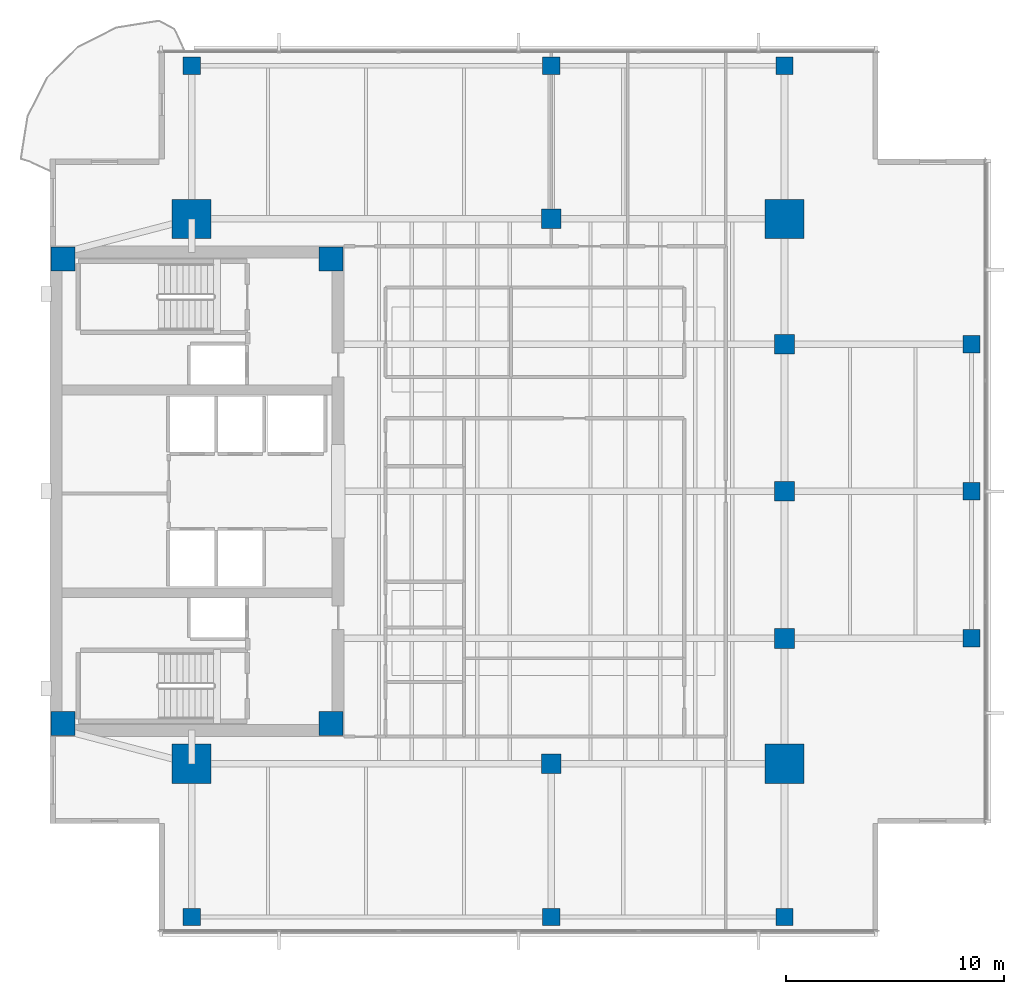
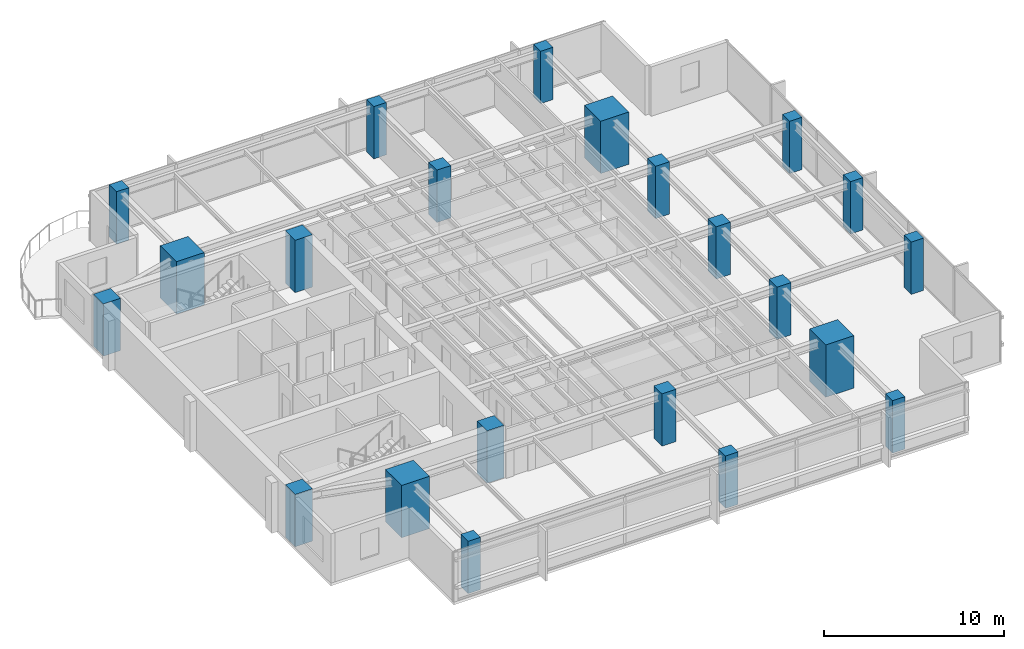
# One storey, part 1 of 15: 22 columns.
"""IFC4 building model written with IfcOpenShell, lengths in metres."""

import ifcopenshell
import ifcopenshell.guid

model = None  # the IFC model being written
_history = None  # IfcOwnerHistory: only IFC2X3 demands one
_inside = {}  # id of a spatial element -> (the spatial element, [elements in it])
_under = {}  # id of a project, library or spatial element -> (it, [spatial elements below it])
_declared = {}  # id of a project -> (the project, [libraries it declares])
_typed = {}  # id of a type object -> (the type object, [elements of that type])
_made_of = {}  # id of a material, layer set ... -> (it, [elements and type objects made of it])


def new_model(schema):
    """Start an empty IFC model of exactly this schema.

    Asked for "IFC4X3", IfcOpenShell would pick the latest addendum, in which some entities
    have other attributes; the version numbers below select the first issue.
    IFC2X3 requires an IfcOwnerHistory on every rooted entity: one is made here for all.
    """
    global model, _history
    if schema == "IFC4X3":
        model = ifcopenshell.file(schema_version=(4, 3, 0, 0))
    else:
        model = ifcopenshell.file(schema=schema)
    _inside.clear()
    _under.clear()
    _declared.clear()
    _typed.clear()
    _made_of.clear()
    _history = None
    if model.schema == "IFC2X3":
        org = make("IfcOrganization", Name="unknown")
        user = make(
            "IfcPersonAndOrganization",
            ThePerson=make("IfcPerson", FamilyName="unknown"),
            TheOrganization=org,
        )
        app = make(
            "IfcApplication",
            ApplicationDeveloper=org,
            Version="unknown",
            ApplicationFullName="unknown",
            ApplicationIdentifier="unknown",
        )
        _history = make(
            "IfcOwnerHistory",
            OwningUser=user,
            OwningApplication=app,
            ChangeAction="ADDED",
            CreationDate=0,
        )
    return model


def make(cls, **values):
    """One entity of the class cls with the attributes given. An attribute that is None is left unset."""
    return model.create_entity(
        cls, **{name: value for name, value in values.items() if value is not None}
    )


def rooted(cls, **values):
    """An entity with a GlobalId (a new one), such as an element, a storey or a relation."""
    return make(cls, GlobalId=ifcopenshell.guid.new(), OwnerHistory=_history, **values)


def si_unit(unit_type, name, prefix=None):
    """IfcSIUnit, for example si_unit("LENGTHUNIT", "METRE", prefix="MILLI")."""
    return make("IfcSIUnit", UnitType=unit_type, Prefix=prefix, Name=name)


def assignment(units):
    """IfcUnitAssignment: the units of a project."""
    return None if units is None else make("IfcUnitAssignment", Units=units)


def point(xyz):
    """IfcCartesianPoint."""
    return None if xyz is None else make("IfcCartesianPoint", Coordinates=xyz)


def direction(xyz):
    """IfcDirection."""
    return None if xyz is None else make("IfcDirection", DirectionRatios=xyz)


def frame(location, z_axis=None, x_axis=None):
    """IfcAxis2Placement3D, a coordinate frame: its origin and axes. An axis left out is left unset."""
    return make(
        "IfcAxis2Placement3D",
        Location=point(location),
        Axis=direction(z_axis),
        RefDirection=direction(x_axis),
    )


def frame_2d(location, x_axis=None):
    """IfcAxis2Placement2D, a coordinate frame in the plane: its origin and x axis."""
    return make(
        "IfcAxis2Placement2D", Location=point(location), RefDirection=direction(x_axis)
    )


def origin():
    """The frame at (0, 0, 0) with its axes left unset."""
    return frame((0.0, 0.0, 0.0))


def origin_2d():
    """The frame at (0, 0) in the plane with its x axis left unset."""
    return frame_2d((0.0, 0.0))


def place(relative_to, where):
    """IfcLocalPlacement: puts the frame where relative to a parent placement (None: the world)."""
    return make(
        "IfcLocalPlacement", PlacementRelTo=relative_to, RelativePlacement=where
    )


def context(
    kind, dimensions, precision=None, world=None, true_north=None, identifier=None
):
    """IfcGeometricRepresentationContext, for example the 3D "Model" context."""
    return make(
        "IfcGeometricRepresentationContext",
        ContextIdentifier=identifier,
        ContextType=kind,
        CoordinateSpaceDimension=dimensions,
        Precision=precision,
        WorldCoordinateSystem=world,
        TrueNorth=true_north,
    )


def subcontext(parent, identifier, kind, view, scale=None):
    """IfcGeometricRepresentationSubContext, for example "Body" below "Model"."""
    return make(
        "IfcGeometricRepresentationSubContext",
        ContextIdentifier=identifier,
        ContextType=kind,
        ParentContext=parent,
        TargetScale=scale,
        TargetView=view,
    )


def project(units=None, contexts=None):
    """IfcProject with its units and contexts."""
    return rooted(
        "IfcProject",
        Name="project",
        RepresentationContexts=contexts,
        UnitsInContext=assignment(units),
    )


def spatial(cls, under=None, at=None, **own):
    """A site, building, storey or space (cls), placed at a placement, below another one or the project."""
    s = rooted(cls, ObjectPlacement=at, **own)
    if under is not None:
        _under.setdefault(under.id(), (under, []))[1].append(s)
    return s


def profile(cls, at=None, kind="AREA", **sizes):
    """A parametric profile (cls). Its sizes go by their IFC names, for example OverallWidth=200.0."""
    return make(cls, ProfileType=kind, Position=at, **sizes)


def rectangle(**sizes):
    """IfcRectangleProfileDef."""
    return profile("IfcRectangleProfileDef", **sizes)


def extrude(swept, where, along, depth):
    """IfcExtrudedAreaSolid: the profile swept, set in the frame where, extruded along a direction by depth."""
    return make(
        "IfcExtrudedAreaSolid",
        SweptArea=swept,
        Position=where,
        ExtrudedDirection=direction(along),
        Depth=depth,
    )


def shape(context_of_items, identifier, shape_type, items):
    """IfcShapeRepresentation: the items that make up one representation, for example the "Body"."""
    return make(
        "IfcShapeRepresentation",
        ContextOfItems=context_of_items,
        RepresentationIdentifier=identifier,
        RepresentationType=shape_type,
        Items=items,
    )


def material(Name=None, Category=None):
    """IfcMaterial."""
    return make("IfcMaterial", Name=Name, Category=Category)


def material_profile(
    of_material, cross_section, Name=None, Category=None, Priority=None
):
    """IfcMaterialProfile: a cross section and its material."""
    return make(
        "IfcMaterialProfile",
        Name=Name,
        Material=of_material,
        Profile=cross_section,
        Priority=Priority,
        Category=Category,
    )


def profile_set(profiles, Name=None, composite=None):
    """IfcMaterialProfileSet."""
    return make(
        "IfcMaterialProfileSet",
        Name=Name,
        MaterialProfiles=profiles,
        CompositeProfile=composite,
    )


def made_of(thing, what):
    """Note that an element or type object is made of a material, layer set ...; save() writes the relation."""
    if what is not None:
        _made_of.setdefault(what.id(), (what, []))[1].append(thing)
    return thing


def type_object(cls, material=None, **own):
    """A type object (cls), such as IfcWallType, which elements share."""
    return made_of(rooted(cls, **own), material)


def element(
    cls,
    number,
    at=None,
    inside=None,
    cuts=None,
    type_object=None,
    material=None,
    context=None,
    identifier="Body",
    shape_type=None,
    held_by="IfcProductDefinitionShape",
    body=None,
    shapes=None,
    **own,
):
    """One element of the class cls, such as IfcWall. Its Tag is "e" and its number.

    at: its placement. inside: the storey or other place that contains it. cuts: it is an
    opening in that element (IfcRelVoidsElement). A single representation is given by context,
    identifier, shape_type and body (its items); several are given by shapes. held_by: the class
    of the entity that holds the representations. save() writes the other relations.
    """
    e = rooted(cls, Tag="e%d" % number, ObjectPlacement=at, **own)
    if body is not None:
        shapes = [shape(context, identifier, shape_type, body)]
    if shapes is not None:
        e.Representation = make(held_by, Representations=shapes)
    if inside is not None:
        _inside.setdefault(inside.id(), (inside, []))[1].append(e)
    if cuts is not None:
        rooted(
            "IfcRelVoidsElement", RelatingBuildingElement=cuts, RelatedOpeningElement=e
        )
    if type_object is not None:
        _typed.setdefault(type_object.id(), (type_object, []))[1].append(e)
    return made_of(e, material)


def aggregate(whole, parts):
    """IfcRelAggregates: a whole, such as a stair, and the parts it consists of."""
    return rooted("IfcRelAggregates", RelatingObject=whole, RelatedObjects=parts)


def save(model, path):
    """Write the relations noted so far, then the file.

    IfcRelAggregates (storeys below a building ...), IfcRelContainedInSpatialStructure (elements
    in a storey), IfcRelDefinesByType, IfcRelAssociatesMaterial and IfcRelDeclares: one each for
    every whole, place, type object, material and project.
    """
    for whole, parts in _under.values():
        aggregate(whole, parts)
    for where, things in _inside.values():
        rooted(
            "IfcRelContainedInSpatialStructure",
            RelatedElements=things,
            RelatingStructure=where,
        )
    for kind, things in _typed.values():
        rooted("IfcRelDefinesByType", RelatedObjects=things, RelatingType=kind)
    for what, things in _made_of.values():
        rooted("IfcRelAssociatesMaterial", RelatedObjects=things, RelatingMaterial=what)
    for by, libraries in _declared.values():
        rooted("IfcRelDeclares", RelatingContext=by, RelatedDefinitions=libraries)
    model.write(path)


model = new_model("IFC4")

# Units and contexts
model_context = context("Model", 3, precision=1e-05, world=origin(), true_north=direction((0.0, 1.0)))
body_context = subcontext(model_context, "Body", "Model", "MODEL_VIEW")
ifc_project = project(units=[si_unit("LENGTHUNIT", "METRE"), si_unit("AREAUNIT", "SQUARE_METRE"), si_unit("VOLUMEUNIT", "CUBIC_METRE"), si_unit("PLANEANGLEUNIT", "RADIAN"), si_unit("MASSUNIT", "GRAM", prefix="KILO")], contexts=[model_context])

# Site, building, storey
site_placement = place(None, origin())
site = spatial("IfcSite", under=ifc_project, at=site_placement, CompositionType="ELEMENT")
building_placement = place(site_placement, origin())
building = spatial("IfcBuilding", under=site, at=building_placement, Name="Kinhvarn Gate Tower", CompositionType="ELEMENT")
storey_placement = place(building_placement, frame((0.0, 0.0, 237.75)))
storey = spatial("IfcBuildingStorey", under=building, at=storey_placement, Name="L63", CompositionType="ELEMENT", Elevation=237.75)

# Columns
ifc_material_1 = material(Name="Concrete C60/75", Category="concrete")
ifc_material_profile_1 = material_profile(ifc_material_1, rectangle(XDim=1.800048828125, YDim=1.800048828125, at=origin_2d()), Name="RC 1800x1800")
ifc_profile_set_1 = profile_set([ifc_material_profile_1], Name="Concrete C60/75")
column_type_1 = type_object("IfcColumnType", Name="COL-MC-1800", PredefinedType="COLUMN", material=ifc_profile_set_1)
for number, where, z_axis, x_axis, name in (
    (1, (11.0, 12.75, 0.0), (0.0, 0.0, 1.0), (1.0, 0.0, 0.0), "Column MC1-L63 (MC-18)"),
    (2, (11.0, 37.75, 0.0), (0.0, 0.0, 1.0), (1.0, 0.0, 0.0), "Column MC4-L63 (MC-18)"),
    (3, (38.199951171875, 12.75, 0.0), (0.0, 0.0, 1.0), (1.0, 0.0, 0.0), "Column MC2-L63 (MC-18)"),
    (4, (38.199951171875, 37.75, 0.0), (0.0, 0.0, 1.0), (1.0, 0.0, 0.0), "Column MC3-L63 (MC-18)"),
):
    element("IfcColumn", number, at=place(storey_placement, frame(where, z_axis=z_axis, x_axis=x_axis)), inside=storey, type_object=column_type_1, Name=name, PredefinedType="COLUMN", context=body_context, shape_type="SweptSolid", body=[
        extrude(rectangle(XDim=1.800048828125, YDim=1.800048828125, at=origin_2d()), origin(), (0.0, 0.0, 1.0), 3.550048828125),
    ])
ifc_material_2 = material(Name="Concrete C50/60", Category="concrete")
ifc_material_profile_2 = material_profile(ifc_material_2, rectangle(XDim=0.800048828125, YDim=0.800048828125, at=origin_2d()), Name="RC 800x800")
ifc_profile_set_2 = profile_set([ifc_material_profile_2], Name="Concrete C50/60")
column_type_2 = type_object("IfcColumnType", Name="COL-RC-800", PredefinedType="COLUMN", material=ifc_profile_set_2)
for number, where, z_axis, x_axis, name in (
    (5, (46.780029296875, 18.5, 0.0), (0.0, 0.0, 1.0), (1.0, 0.0, 0.0), "Column CE-1-L63 (C-080)"),
    (6, (46.780029296875, 25.25, 0.0), (0.0, 0.0, 1.0), (1.0, 0.0, 0.0), "Column CE-2-L63 (C-080)"),
    (7, (46.780029296875, 32.0, 0.0), (0.0, 0.0, 1.0), (1.0, 0.0, 0.0), "Column CE-3-L63 (C-080)"),
    (8, (11.0, 5.719970703125, 0.0), (0.0, 0.0, 1.0), (1.0, 0.0, 0.0), "Column CS-0-L63 (C-080)"),
    (9, (27.5, 5.719970703125, 0.0), (0.0, 0.0, 1.0), (1.0, 0.0, 0.0), "Column CS-1-L63 (C-080)"),
    (10, (38.199951171875, 5.719970703125, 0.0), (0.0, 0.0, 1.0), (1.0, 0.0, 0.0), "Column CS-2-L63 (C-080)"),
    (11, (11.0, 44.780029296875, 0.0), (0.0, 0.0, 1.0), (1.0, 0.0, 0.0), "Column CN-0-L63 (C-080)"),
    (12, (27.5, 44.780029296875, 0.0), (0.0, 0.0, 1.0), (1.0, 0.0, 0.0), "Column CN-1-L63 (C-080)"),
    (13, (38.199951171875, 44.780029296875, 0.0), (0.0, 0.0, 1.0), (1.0, 0.0, 0.0), "Column CN-2-L63 (C-080)"),
):
    element("IfcColumn", number, at=place(storey_placement, frame(where, z_axis=z_axis, x_axis=x_axis)), inside=storey, type_object=column_type_2, Name=name, PredefinedType="COLUMN", context=body_context, shape_type="SweptSolid", body=[
        extrude(rectangle(XDim=0.800048828125, YDim=0.800048828125, at=origin_2d()), origin(), (0.0, 0.0, 1.0), 3.550048828125),
    ])
ifc_material_profile_3 = material_profile(ifc_material_1, rectangle(XDim=0.89990234375, YDim=0.89990234375, at=origin_2d()), Name="RC 900x900")
ifc_profile_set_3 = profile_set([ifc_material_profile_3], Name="Concrete C60/75")
column_type_3 = type_object("IfcColumnType", Name="COL-RC-900", PredefinedType="COLUMN", material=ifc_profile_set_3)
for number, where, z_axis, x_axis, name in (
    (14, (27.5, 12.75, 0.0), (0.0, 0.0, 1.0), (1.0, 0.0, 0.0), "Column SP27-S-L63 (C-090)"),
    (15, (27.5, 37.75, 0.0), (0.0, 0.0, 1.0), (1.0, 0.0, 0.0), "Column SP27-N-L63 (C-090)"),
    (16, (38.199951171875, 18.5, 0.0), (0.0, 0.0, 1.0), (1.0, 0.0, 0.0), "Column SP38-E1-L63 (C-090)"),
    (17, (38.199951171875, 25.25, 0.0), (0.0, 0.0, 1.0), (1.0, 0.0, 0.0), "Column SP38-E2-L63 (C-090)"),
    (18, (38.199951171875, 32.0, 0.0), (0.0, 0.0, 1.0), (1.0, 0.0, 0.0), "Column SP38-E3-L63 (C-090)"),
):
    element("IfcColumn", number, at=place(storey_placement, frame(where, z_axis=z_axis, x_axis=x_axis)), inside=storey, type_object=column_type_3, Name=name, PredefinedType="COLUMN", context=body_context, shape_type="SweptSolid", body=[
        extrude(rectangle(XDim=0.89990234375, YDim=0.89990234375, at=origin_2d()), origin(), (0.0, 0.0, 1.0), 3.550048828125),
    ])
ifc_material_profile_4 = material_profile(ifc_material_1, rectangle(XDim=1.10009765625, YDim=1.10009765625, at=origin_2d()), Name="RC 1100x1100")
ifc_profile_set_4 = profile_set([ifc_material_profile_4], Name="Concrete C60/75")
column_type_4 = type_object("IfcColumnType", Name="PIL-RC-1100", PredefinedType="PILASTER", material=ifc_profile_set_4)
for number, where, z_axis, x_axis, name in (
    (19, (5.10009765625, 14.60009765625, 0.0), (0.0, 0.0, 1.0), (1.0, 0.0, 0.0), "Column CC-SW-L63 (CP-110)"),
    (20, (5.10009765625, 35.89990234375, 0.0), (0.0, 0.0, 1.0), (1.0, 0.0, 0.0), "Column CC-NW-L63 (CP-110)"),
    (21, (17.39990234375, 14.60009765625, 0.0), (0.0, 0.0, 1.0), (1.0, 0.0, 0.0), "Column CC-SE-L63 (CP-110)"),
    (22, (17.39990234375, 35.89990234375, 0.0), (0.0, 0.0, 1.0), (1.0, 0.0, 0.0), "Column CC-NE-L63 (CP-110)"),
):
    element("IfcColumn", number, at=place(storey_placement, frame(where, z_axis=z_axis, x_axis=x_axis)), inside=storey, type_object=column_type_4, Name=name, PredefinedType="PILASTER", context=body_context, shape_type="SweptSolid", body=[
        extrude(rectangle(XDim=1.10009765625, YDim=1.10009765625, at=origin_2d()), origin(), (0.0, 0.0, 1.0), 3.550048828125),
    ])

save(model, "model.ifc")
